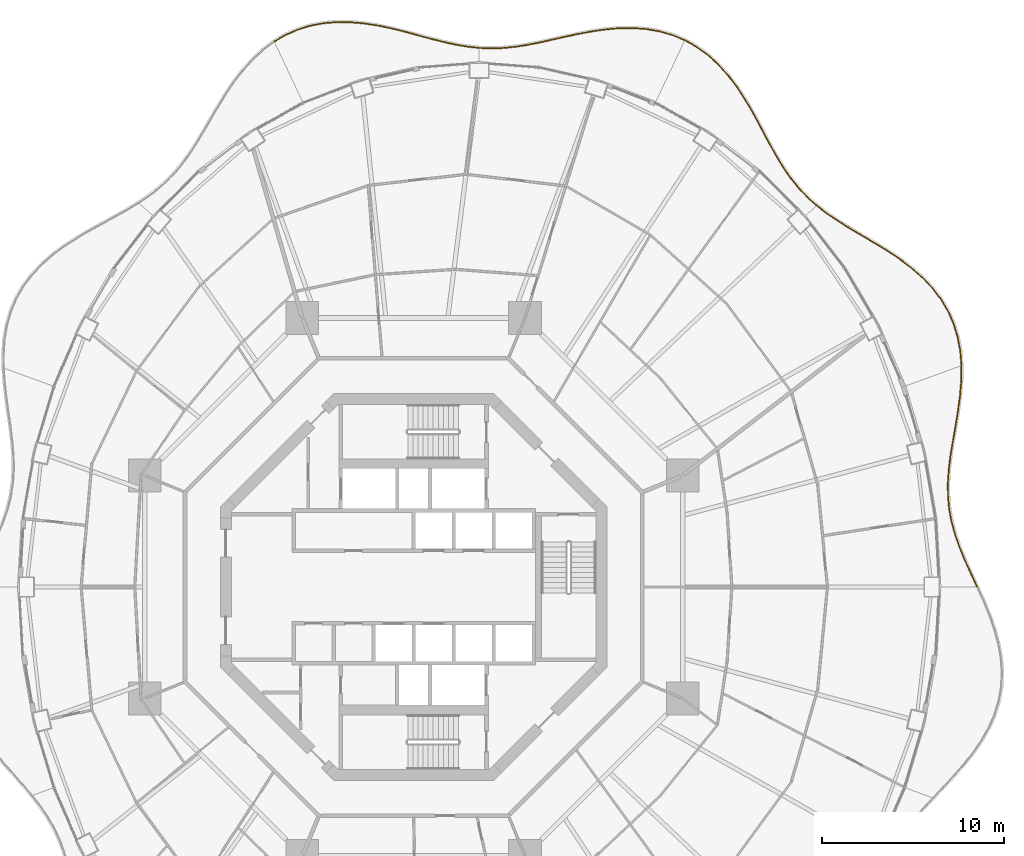
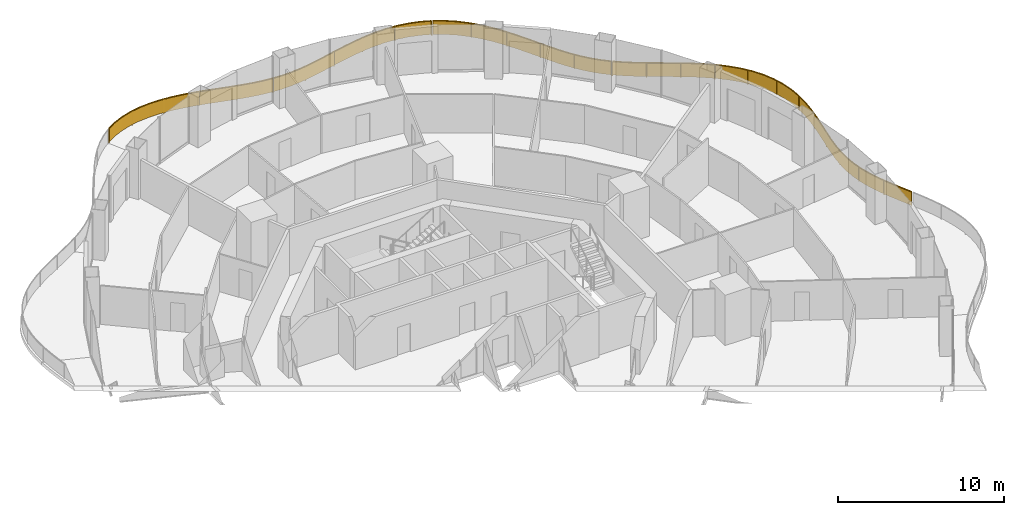
# One storey, part 19 of 19: 5 railings.
"""IFC4 building model written with IfcOpenShell, lengths in metres."""

from ifc_helpers import new_model, si_unit, direction, frame, origin, origin_2d, place, context, subcontext, project, spatial, polyline, rectangle, outline, extrude, material, type_object, element, save


model = new_model("IFC4")

# Units and contexts
model_context = context("Model", 3, precision=1e-05, world=origin(), true_north=direction((0.0, 1.0)))
body_context = subcontext(model_context, "Body", "Model", "MODEL_VIEW")
ifc_project = project(units=[si_unit("LENGTHUNIT", "METRE"), si_unit("AREAUNIT", "SQUARE_METRE"), si_unit("VOLUMEUNIT", "CUBIC_METRE"), si_unit("PLANEANGLEUNIT", "RADIAN"), si_unit("MASSUNIT", "GRAM", prefix="KILO")], contexts=[model_context])

# Site, building, storey
site_placement = place(None, origin())
site = spatial("IfcSite", under=ifc_project, at=site_placement, CompositionType="ELEMENT")
building_placement = place(site_placement, origin())
building = spatial("IfcBuilding", under=site, at=building_placement, Name="Nagisa Residences", CompositionType="ELEMENT")
storey_placement = place(building_placement, frame((0.0, 0.0, 199.199951171875)))
storey = spatial("IfcBuildingStorey", under=building, at=storey_placement, Name="L50", CompositionType="ELEMENT", Elevation=199.199951171875)

# Railings
ifc_material = material(Name="Stainless steel 316", Category="steel")
railing_type = type_object("IfcRailingType", Name="BALCONY GUARD 1100", PredefinedType="BALUSTRADE", material=ifc_material)
railing_1_placement = place(storey_placement, frame((30.95361328125, 0.0341796875, 0.0)))
element("IfcRailing", 1, at=railing_1_placement, inside=storey, type_object=railing_type, Name="guard:L50:bal00-0", PredefinedType="BALUSTRADE", context=body_context, shape_type="SweptSolid", body=[
    extrude(outline(polyline([(-0.350341796875, 0.691162109375), (-0.022705078125, -0.010498046875), (0.022705078125, 0.010498046875), (-0.304931640625, 0.712158203125), (-0.6337890625, 1.44091796875), (-0.93017578125, 2.15869140625), (-1.179931640625, 2.869140625), (-1.372802734375, 3.576904296875), (-1.500732421875, 4.274169921875), (-1.565673828125, 4.993408203125), (-1.5673828125, 5.725830078125), (-1.5146484375, 6.474853515625), (-1.41748046875, 7.242919921875), (-1.287109375, 8.017333984375), (-1.147216796875, 8.8232421875), (-1.012939453125, 9.64404296875), (-0.9033203125, 10.474609375), (-0.83642578125, 11.30810546875), (-0.827392578125, 12.09033203125), (-0.877197265625, 12.0908203125), (-0.88623046875, 11.310546875), (-0.953125, 10.47998046875), (-1.062255859375, 9.6513671875), (-1.196533203125, 8.83154296875), (-1.33642578125, 8.025634765625), (-1.466796875, 7.250244140625), (-1.564453125, 6.479736328125), (-1.61767578125, 5.727294921875), (-1.615478515625, 4.990966796875), (-1.550537109375, 4.267333984375), (-1.421630859375, 3.565673828125), (-1.227783203125, 2.85400390625), (-0.97705078125, 2.140625), (-0.6796875, 1.4208984375), (-0.350341796875, 0.691162109375)])), frame((0.0, 0.0, 1.050048828125)), (0.0, 0.0, 1.0), 0.050048828125),
    extrude(outline(polyline([(-0.333984375, 0.69873046875), (-0.00634765625, -0.0029296875), (0.00634765625, 0.0029296875), (-0.3212890625, 0.70458984375), (-0.650390625, 1.43359375), (-0.947021484375, 2.152099609375), (-1.197265625, 2.86376953125), (-1.390380859375, 3.57275390625), (-1.518798828125, 4.271728515625), (-1.58349609375, 4.992431640625), (-1.58544921875, 5.726318359375), (-1.532470703125, 6.4765625), (-1.435302734375, 7.24560546875), (-1.304931640625, 8.020263671875), (-1.1650390625, 8.826171875), (-1.03076171875, 9.646728515625), (-0.921142578125, 10.4765625), (-0.854248046875, 11.30908203125), (-0.84521484375, 12.090576171875), (-0.859375, 12.090576171875), (-0.868408203125, 11.3095703125), (-0.935302734375, 10.47802734375), (-1.04443359375, 9.648681640625), (-1.1787109375, 8.82861328125), (-1.318603515625, 8.022705078125), (-1.448974609375, 7.24755859375), (-1.546630859375, 6.47802734375), (-1.599609375, 5.726806640625), (-1.59765625, 4.991943359375), (-1.532470703125, 4.269775390625), (-1.404052734375, 3.56982421875), (-1.21044921875, 2.859375), (-0.960205078125, 2.147216796875), (-0.6630859375, 1.42822265625), (-0.333984375, 0.69873046875)])), frame((0.0, 0.0, 0.06005859375)), (0.0, 0.0, 1.0), 0.989990234375),
    extrude(rectangle(XDim=0.0400390625, YDim=0.0400390625, at=origin_2d()), origin(), (0.0, 0.0, 1.0), 1.050048828125),
    extrude(rectangle(XDim=0.0400390625, YDim=0.0400390625, at=origin_2d()), frame((-0.846435546875, 1.89013671875, 0.0)), (0.0, 0.0, 1.0), 1.050048828125),
    extrude(rectangle(XDim=0.0400390625, YDim=0.0400390625, at=origin_2d()), frame((-1.451416015625, 3.86669921875, 0.0)), (0.0, 0.0, 1.0), 1.050048828125),
    extrude(rectangle(XDim=0.0400390625, YDim=0.0400390625, at=origin_2d()), frame((-1.578369140625, 5.927978515625, 0.0)), (0.0, 0.0, 1.0), 1.050048828125),
    extrude(rectangle(XDim=0.0400390625, YDim=0.0400390625, at=origin_2d()), frame((-1.318603515625, 7.9814453125, 0.0)), (0.0, 0.0, 1.0), 1.050048828125),
    extrude(rectangle(XDim=0.0400390625, YDim=0.0400390625, at=origin_2d()), frame((-0.98779296875, 10.02587890625, 0.0)), (0.0, 0.0, 1.0), 1.050048828125),
    extrude(rectangle(XDim=0.0400390625, YDim=0.0400390625, at=origin_2d()), frame((-0.852294921875, 12.090576171875, 0.0)), (0.0, 0.0, 1.0), 1.050048828125),
])
railing_2_placement = place(storey_placement, frame((30.099609375, 12.201904296875, 0.0)))
element("IfcRailing", 2, at=railing_2_placement, inside=storey, type_object=railing_type, Name="guard:L50:bal01-0", PredefinedType="BALUSTRADE", context=body_context, shape_type="SweptSolid", body=[
    extrude(outline(polyline([(-0.08154296875, 0.73974609375), (-0.02490234375, -0.001953125), (0.02490234375, 0.001953125), (-0.03173828125, 0.74609375), (-0.17236328125, 1.515625), (-0.397216796875, 2.25732421875), (-0.708251953125, 2.963623046875), (-1.104248046875, 3.629638671875), (-1.572509765625, 4.23828125), (-2.117919921875, 4.814697265625), (-2.721435546875, 5.346435546875), (-3.369873046875, 5.83740234375), (-4.048095703125, 6.29296875), (-4.731689453125, 6.708251953125), (-5.422607421875, 7.1171875), (-6.098876953125, 7.518310546875), (-6.748291015625, 7.921875), (-7.36181640625, 8.3388671875), (-7.90087890625, 8.753173828125), (-7.93115234375, 8.713623046875), (-7.39111328125, 8.29833984375), (-6.775634765625, 7.8798828125), (-6.124755859375, 7.475341796875), (-5.447998046875, 7.07421875), (-4.757568359375, 6.665283203125), (-4.074951171875, 6.2509765625), (-3.399169921875, 5.796875), (-2.753173828125, 5.307861328125), (-2.152587890625, 4.778564453125), (-1.610595703125, 4.20556640625), (-1.145751953125, 3.601318359375), (-0.752685546875, 2.940673828125), (-0.444091796875, 2.23974609375), (-0.22119140625, 1.50390625), (-0.08154296875, 0.73974609375)])), frame((0.0, 0.0, 1.050048828125)), (0.0, 0.0, 1.0), 0.050048828125),
    extrude(outline(polyline([(-0.0634765625, 0.741943359375), (-0.007080078125, -0.00048828125), (0.007080078125, 0.00048828125), (-0.0498046875, 0.743896484375), (-0.18994140625, 1.511474609375), (-0.4140625, 2.2509765625), (-0.72412109375, 2.955322265625), (-1.119140625, 3.619384765625), (-1.586181640625, 4.2265625), (-2.13037109375, 4.8017578125), (-2.73291015625, 5.33251953125), (-3.38037109375, 5.82275390625), (-4.057861328125, 6.27783203125), (-4.740966796875, 6.69287109375), (-5.431640625, 7.101806640625), (-6.108154296875, 7.5029296875), (-6.758056640625, 7.90673828125), (-7.372314453125, 8.32421875), (-7.911865234375, 8.739013671875), (-7.920166015625, 8.727783203125), (-7.380615234375, 8.31298828125), (-6.765869140625, 7.89501953125), (-6.115478515625, 7.49072265625), (-5.43896484375, 7.089599609375), (-4.748291015625, 6.6806640625), (-4.065185546875, 6.26611328125), (-3.388671875, 5.8115234375), (-2.74169921875, 5.32177734375), (-2.14013671875, 4.79150390625), (-1.596923828125, 4.21728515625), (-1.130859375, 3.611572265625), (-0.73681640625, 2.948974609375), (-0.42724609375, 2.24609375), (-0.20361328125, 1.508056640625), (-0.0634765625, 0.741943359375)])), frame((0.0, 0.0, 0.06005859375)), (0.0, 0.0, 1.0), 0.989990234375),
    extrude(rectangle(XDim=0.0400390625, YDim=0.0400390625, at=origin_2d()), origin(), (0.0, 0.0, 1.0), 1.050048828125),
    extrude(rectangle(XDim=0.0400390625, YDim=0.0400390625, at=origin_2d()), frame((-0.35400390625, 2.028564453125, 0.0)), (0.0, 0.0, 1.0), 1.050048828125),
    extrude(rectangle(XDim=0.0400390625, YDim=0.0400390625, at=origin_2d()), frame((-1.3056640625, 3.850341796875, 0.0)), (0.0, 0.0, 1.0), 1.050048828125),
    extrude(rectangle(XDim=0.0400390625, YDim=0.0400390625, at=origin_2d()), frame((-2.740966796875, 5.329833984375, 0.0)), (0.0, 0.0, 1.0), 1.050048828125),
    extrude(rectangle(XDim=0.0400390625, YDim=0.0400390625, at=origin_2d()), frame((-4.44091796875, 6.50244140625, 0.0)), (0.0, 0.0, 1.0), 1.050048828125),
    extrude(rectangle(XDim=0.0400390625, YDim=0.0400390625, at=origin_2d()), frame((-6.215576171875, 7.561279296875, 0.0)), (0.0, 0.0, 1.0), 1.050048828125),
    extrude(rectangle(XDim=0.0400390625, YDim=0.0400390625, at=origin_2d()), frame((-7.916015625, 8.7333984375, 0.0)), (0.0, 0.0, 1.0), 1.050048828125),
])
railing_3_placement = place(storey_placement, frame((22.128662109375, 20.978759765625, 0.0)))
element("IfcRailing", 3, at=railing_3_placement, inside=storey, type_object=railing_type, Name="guard:L50:bal02-0", PredefinedType="BALUSTRADE", context=body_context, shape_type="SweptSolid", body=[
    extrude(outline(polyline([(-0.490234375, 0.403564453125), (-0.0166015625, -0.018798828125), (0.0166015625, 0.018798828125), (-0.45556640625, 0.439697265625), (-0.918701171875, 0.923095703125), (-1.344970703125, 1.444580078125), (-1.74072265625, 2.00537109375), (-2.112548828125, 2.603271484375), (-2.457763671875, 3.22412109375), (-2.811279296875, 3.88232421875), (-3.1708984375, 4.55810546875), (-3.547119140625, 5.23974609375), (-3.94970703125, 5.9150390625), (-4.373779296875, 6.562255859375), (-4.850830078125, 7.184326171875), (-5.3740234375, 7.760009765625), (-5.94482421875, 8.27734375), (-6.5625, 8.725830078125), (-7.18212890625, 9.074462890625), (-7.20654296875, 9.031005859375), (-6.58935546875, 8.683837890625), (-5.9765625, 8.23828125), (-5.40966796875, 7.724365234375), (-4.889404296875, 7.152099609375), (-4.414794921875, 6.533447265625), (-3.9921875, 5.888671875), (-3.590576171875, 5.21484375), (-3.21484375, 4.5341796875), (-2.855224609375, 3.85888671875), (-2.501708984375, 3.2001953125), (-2.155517578125, 2.577880859375), (-1.7822265625, 1.9775390625), (-1.385009765625, 1.414306640625), (-0.956298828125, 0.889892578125), (-0.490234375, 0.403564453125)])), frame((0.0, 0.0, 1.050048828125)), (0.0, 0.0, 1.0), 0.050048828125),
    extrude(outline(polyline([(-0.477783203125, 0.41650390625), (-0.004638671875, -0.005126953125), (0.004638671875, 0.005126953125), (-0.468017578125, 0.4267578125), (-0.932373046875, 0.9111328125), (-1.359375, 1.43359375), (-1.755615234375, 1.995361328125), (-2.1279296875, 2.59423828125), (-2.4736328125, 3.215576171875), (-2.8271484375, 3.8740234375), (-3.186767578125, 4.549560546875), (-3.562744140625, 5.230712890625), (-3.965087890625, 5.905517578125), (-4.388671875, 6.552001953125), (-4.86474609375, 7.172607421875), (-5.386962890625, 7.7470703125), (-5.956298828125, 8.26318359375), (-6.572021484375, 8.710693359375), (-7.19091796875, 9.058837890625), (-7.19775390625, 9.046630859375), (-6.579833984375, 8.698974609375), (-5.965087890625, 8.25244140625), (-5.396728515625, 7.7373046875), (-4.87548828125, 7.163818359375), (-4.39990234375, 6.543701171875), (-3.976806640625, 5.898193359375), (-3.574951171875, 5.223876953125), (-3.198974609375, 4.542724609375), (-2.83935546875, 3.8671875), (-2.48583984375, 3.208740234375), (-2.14013671875, 2.5869140625), (-1.767333984375, 1.987548828125), (-1.37060546875, 1.42529296875), (-0.942626953125, 0.90185546875), (-0.477783203125, 0.41650390625)])), frame((0.0, 0.0, 0.06005859375)), (0.0, 0.0, 1.0), 0.989990234375),
    extrude(rectangle(XDim=0.0400390625, YDim=0.0400390625, at=origin_2d()), origin(), (0.0, 0.0, 1.0), 1.050048828125),
    extrude(rectangle(XDim=0.0400390625, YDim=0.0400390625, at=origin_2d()), frame((-1.575439453125, 1.727783203125, 0.0)), (0.0, 0.0, 1.0), 1.050048828125),
    extrude(rectangle(XDim=0.0400390625, YDim=0.0400390625, at=origin_2d()), frame((-2.7666015625, 3.746337890625, 0.0)), (0.0, 0.0, 1.0), 1.050048828125),
    extrude(rectangle(XDim=0.0400390625, YDim=0.0400390625, at=origin_2d()), frame((-3.907470703125, 5.79541015625, 0.0)), (0.0, 0.0, 1.0), 1.050048828125),
    extrude(rectangle(XDim=0.0400390625, YDim=0.0400390625, at=origin_2d()), frame((-5.3193359375, 7.662353515625, 0.0)), (0.0, 0.0, 1.0), 1.050048828125),
    extrude(rectangle(XDim=0.0400390625, YDim=0.0400390625, at=origin_2d()), frame((-7.1943359375, 9.052734375, 0.0)), (0.0, 0.0, 1.0), 1.050048828125),
])
railing_4_placement = place(storey_placement, frame((14.86474609375, 30.0654296875, 0.0)))
element("IfcRailing", 4, at=railing_4_placement, inside=storey, type_object=railing_type, Name="guard:L50:bal03-0", PredefinedType="BALUSTRADE", context=body_context, shape_type="SweptSolid", body=[
    extrude(outline(polyline([(-0.6376953125, 0.238525390625), (-0.009521484375, -0.023193359375), (0.009521484375, 0.023193359375), (-0.62109375, 0.285888671875), (-1.328369140625, 0.490478515625), (-2.06005859375, 0.619140625), (-2.809326171875, 0.67626953125), (-3.568359375, 0.66845703125), (-4.313232421875, 0.600341796875), (-5.071044921875, 0.49267578125), (-5.8193359375, 0.353759765625), (-6.55419921875, 0.196044921875), (-7.273193359375, 0.0341796875), (-7.95703125, -0.1220703125), (-8.641845703125, -0.255126953125), (-9.31201171875, -0.357666015625), (-9.970703125, -0.421875), (-10.62255859375, -0.442138671875), (-11.229248046875, -0.41845703125), (-11.231201171875, -0.46826171875), (-10.62255859375, -0.492431640625), (-9.96728515625, -0.4716796875), (-9.3056640625, -0.407470703125), (-8.633056640625, -0.304443359375), (-7.94677734375, -0.1708984375), (-7.261962890625, -0.0146484375), (-6.54345703125, 0.147216796875), (-5.8095703125, 0.304443359375), (-5.062744140625, 0.443359375), (-4.307373046875, 0.550537109375), (-3.56591796875, 0.61865234375), (-2.810791015625, 0.6259765625), (-2.06640625, 0.5693359375), (-1.339599609375, 0.441650390625), (-0.6376953125, 0.238525390625)])), frame((0.0, 0.0, 1.050048828125)), (0.0, 0.0, 1.0), 0.050048828125),
    extrude(outline(polyline([(-0.6318359375, 0.255615234375), (-0.002685546875, -0.00634765625), (0.002685546875, 0.00634765625), (-0.626953125, 0.268798828125), (-1.33251953125, 0.472900390625), (-2.062255859375, 0.60107421875), (-2.809814453125, 0.658203125), (-3.5673828125, 0.650634765625), (-4.31103515625, 0.582275390625), (-5.068115234375, 0.474853515625), (-5.81591796875, 0.3359375), (-6.55029296875, 0.178466796875), (-7.26904296875, 0.0166015625), (-7.953369140625, -0.1396484375), (-8.638671875, -0.27294921875), (-9.309814453125, -0.375732421875), (-9.969482421875, -0.439697265625), (-10.62255859375, -0.460205078125), (-11.22998046875, -0.436279296875), (-11.23046875, -0.450439453125), (-10.62255859375, -0.474365234375), (-9.968505859375, -0.453857421875), (-9.307861328125, -0.389404296875), (-8.63623046875, -0.28662109375), (-7.950439453125, -0.1533203125), (-7.26611328125, 0.0029296875), (-6.54736328125, 0.164794921875), (-5.81298828125, 0.322265625), (-5.065673828125, 0.461181640625), (-4.3095703125, 0.568603515625), (-3.56689453125, 0.636474609375), (-2.810302734375, 0.64404296875), (-2.064208984375, 0.58740234375), (-1.33544921875, 0.459228515625), (-0.6318359375, 0.255615234375)])), frame((0.0, 0.0, 0.06005859375)), (0.0, 0.0, 1.0), 0.989990234375),
    extrude(rectangle(XDim=0.0400390625, YDim=0.0400390625, at=origin_2d()), origin(), (0.0, 0.0, 1.0), 1.050048828125),
    extrude(rectangle(XDim=0.0400390625, YDim=0.0400390625, at=origin_2d()), frame((-2.192138671875, 0.60400390625, 0.0)), (0.0, 0.0, 1.0), 1.050048828125),
    extrude(rectangle(XDim=0.0400390625, YDim=0.0400390625, at=origin_2d()), frame((-4.470703125, 0.552734375, 0.0)), (0.0, 0.0, 1.0), 1.050048828125),
    extrude(rectangle(XDim=0.0400390625, YDim=0.0400390625, at=origin_2d()), frame((-6.716064453125, 0.134033203125, 0.0)), (0.0, 0.0, 1.0), 1.050048828125),
    extrude(rectangle(XDim=0.0400390625, YDim=0.0400390625, at=origin_2d()), frame((-8.953125, -0.328125, 0.0)), (0.0, 0.0, 1.0), 1.050048828125),
    extrude(rectangle(XDim=0.0400390625, YDim=0.0400390625, at=origin_2d()), frame((-11.230224609375, -0.443359375, 0.0)), (0.0, 0.0, 1.0), 1.050048828125),
])
railing_5_placement = place(storey_placement, frame((3.565673828125, 29.6279296875, 0.0)))
element("IfcRailing", 5, at=railing_5_placement, inside=storey, type_object=railing_type, Name="guard:L50:bal04-0", PredefinedType="BALUSTRADE", context=body_context, shape_type="SweptSolid", body=[
    extrude(outline(polyline([(-0.614013671875, 0.042236328125), (-0.002685546875, -0.02490234375), (0.002685546875, 0.02490234375), (-0.607177734375, 0.092041015625), (-1.26708984375, 0.20458984375), (-1.93896484375, 0.3525390625), (-2.62548828125, 0.526611328125), (-3.32861328125, 0.7158203125), (-4.031005859375, 0.91015625), (-4.766845703125, 1.0908203125), (-5.515380859375, 1.246826171875), (-6.272216796875, 1.364501953125), (-7.03173828125, 1.431884765625), (-7.77099609375, 1.443603515625), (-8.51611328125, 1.380859375), (-9.243408203125, 1.24267578125), (-9.94580078125, 1.0263671875), (-10.61669921875, 0.731689453125), (-11.208740234375, 0.385498046875), (-11.183349609375, 0.342529296875), (-10.59375, 0.687255859375), (-9.92822265625, 0.9794921875), (-9.231201171875, 1.19384765625), (-8.50927734375, 1.3310546875), (-7.76904296875, 1.393310546875), (-7.0341796875, 1.382080078125), (-6.278076171875, 1.314697265625), (-5.524169921875, 1.197509765625), (-4.778076171875, 1.0419921875), (-4.043701171875, 0.86181640625), (-3.341796875, 0.66748046875), (-2.63818359375, 0.478271484375), (-1.95068359375, 0.3037109375), (-1.27685546875, 0.1552734375), (-0.614013671875, 0.042236328125)])), frame((0.0, 0.0, 1.050048828125)), (0.0, 0.0, 1.0), 0.050048828125),
    extrude(outline(polyline([(-0.611572265625, 0.060302734375), (-0.000732421875, -0.007080078125), (0.000732421875, 0.007080078125), (-0.609619140625, 0.073974609375), (-1.270751953125, 0.186767578125), (-1.943115234375, 0.3349609375), (-2.630126953125, 0.50927734375), (-3.333251953125, 0.698486328125), (-4.03564453125, 0.892822265625), (-4.77099609375, 1.0732421875), (-5.5185546875, 1.22900390625), (-6.2744140625, 1.346435546875), (-7.03271484375, 1.4140625), (-7.770263671875, 1.425537109375), (-8.513671875, 1.36279296875), (-9.239013671875, 1.22509765625), (-9.939453125, 1.009521484375), (-10.6083984375, 0.7158203125), (-11.199462890625, 0.3701171875), (-11.192626953125, 0.35791015625), (-10.60205078125, 0.703125), (-9.9345703125, 0.996337890625), (-9.235595703125, 1.21142578125), (-8.51171875, 1.34912109375), (-7.769775390625, 1.411376953125), (-7.033203125, 1.39990234375), (-6.27587890625, 1.332763671875), (-5.52099609375, 1.21533203125), (-4.77392578125, 1.0595703125), (-4.0390625, 0.879150390625), (-3.337158203125, 0.684814453125), (-2.633544921875, 0.49560546875), (-1.946533203125, 0.3212890625), (-1.273193359375, 0.173095703125), (-0.611572265625, 0.060302734375)])), frame((0.0, 0.0, 0.06005859375)), (0.0, 0.0, 1.0), 0.989990234375),
    extrude(rectangle(XDim=0.0400390625, YDim=0.0400390625, at=origin_2d()), origin(), (0.0, 0.0, 1.0), 1.050048828125),
    extrude(rectangle(XDim=0.0400390625, YDim=0.0400390625, at=origin_2d()), frame((-2.270751953125, 0.410888671875, 0.0)), (0.0, 0.0, 1.0), 1.050048828125),
    extrude(rectangle(XDim=0.0400390625, YDim=0.0400390625, at=origin_2d()), frame((-4.50439453125, 1.00048828125, 0.0)), (0.0, 0.0, 1.0), 1.050048828125),
    extrude(rectangle(XDim=0.0400390625, YDim=0.0400390625, at=origin_2d()), frame((-6.779541015625, 1.384521484375, 0.0)), (0.0, 0.0, 1.0), 1.050048828125),
    extrude(rectangle(XDim=0.0400390625, YDim=0.0400390625, at=origin_2d()), frame((-9.076171875, 1.248779296875, 0.0)), (0.0, 0.0, 1.0), 1.050048828125),
    extrude(rectangle(XDim=0.0400390625, YDim=0.0400390625, at=origin_2d()), frame((-11.196044921875, 0.364013671875, 0.0)), (0.0, 0.0, 1.0), 1.050048828125),
])

save(model, "model.ifc")
